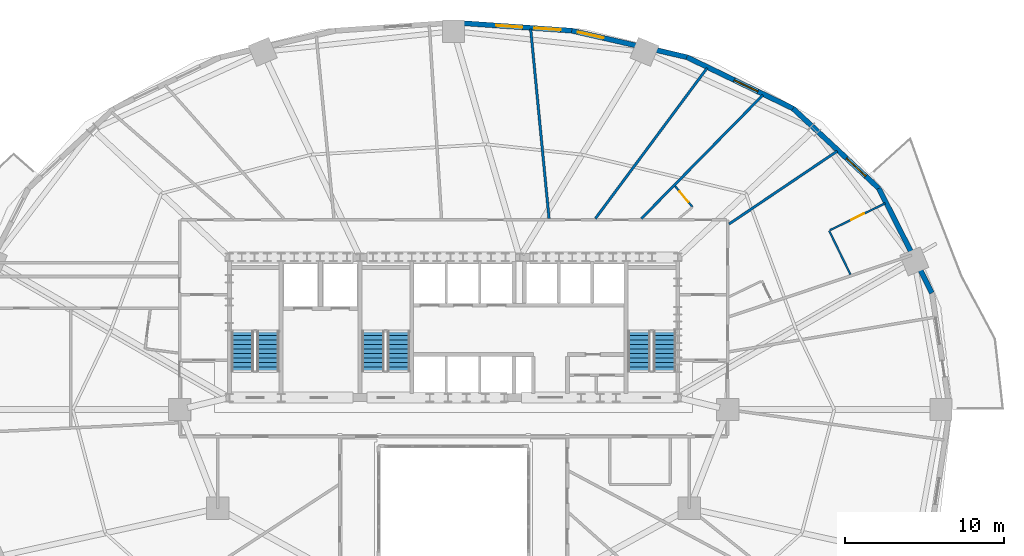
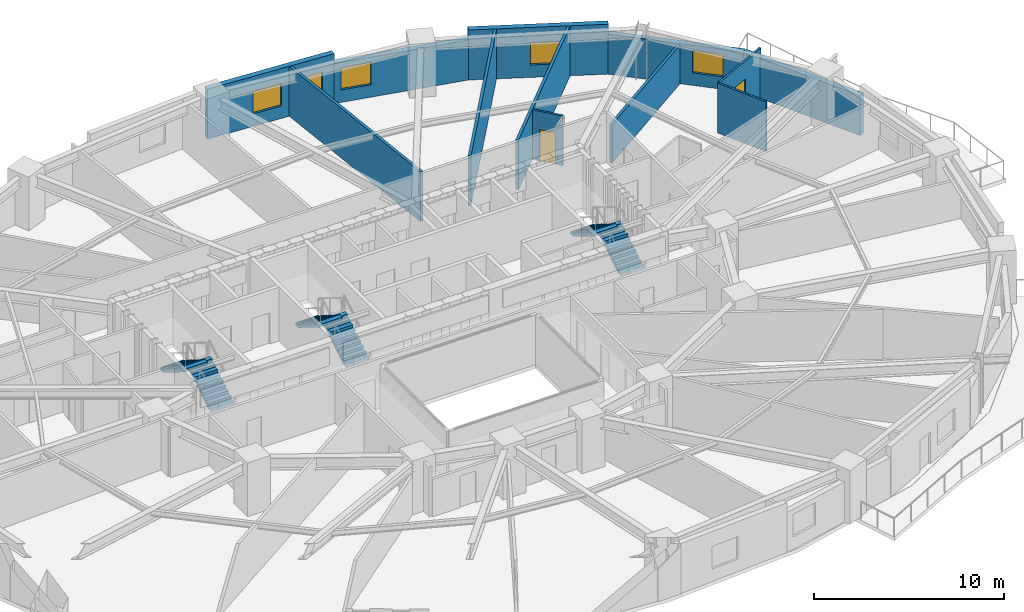
# One storey, part 13 of 17: 12 walls, 6 stair flights, 5 windows, 2 doors, 7 openings, 3 elements without a shape of their own.
"""IFC4 building model written with IfcOpenShell, lengths in metres."""

from ifc_helpers import new_model, si_unit, direction, frame, frame_2d, origin, place, context, subcontext, project, spatial, polyline, rectangle, outline, extrude, material, layer, layer_set, type_object, element, fill, aggregate, save


model = new_model("IFC4")

# Units and contexts
model_context = context("Model", 3, precision=1e-05, world=origin(), true_north=direction((0.0, 1.0)))
body_context = subcontext(model_context, "Body", "Model", "MODEL_VIEW")
ifc_project = project(units=[si_unit("LENGTHUNIT", "METRE"), si_unit("AREAUNIT", "SQUARE_METRE"), si_unit("VOLUMEUNIT", "CUBIC_METRE"), si_unit("PLANEANGLEUNIT", "RADIAN"), si_unit("MASSUNIT", "GRAM", prefix="KILO")], contexts=[model_context])

# Site, building, storey
site_placement = place(None, origin())
site = spatial("IfcSite", under=ifc_project, at=site_placement, CompositionType="ELEMENT")
building_placement = place(site_placement, origin())
building = spatial("IfcBuilding", under=site, at=building_placement, Name="Haldorwick Loom Tower", CompositionType="ELEMENT")
storey_placement = place(building_placement, frame((0.0, 0.0, 61.949951171875)))
storey = spatial("IfcBuildingStorey", under=building, at=storey_placement, Name="L16", CompositionType="ELEMENT", Elevation=61.949951171875)

# Wall
ifc_material_1 = material(Name="Pressed Clay Face Brick and Insulated Masonry Backup Assembly", Category="masonry")
ifc_layer_1 = layer(ifc_material_1, 0.320068359375, Name="Pressed Clay Face Brick and Insulated Masonry Backup Assembly", Category="masonry")
ifc_layer_set_1 = layer_set([ifc_layer_1], Name="Pressed Clay Face Brick and Insulated Masonry Backup Assembly")
wall_type_1 = type_object("IfcWallType", Name="ARC-WL-EXT320", PredefinedType="STANDARD", material=ifc_layer_set_1)
wall_1_placement = place(storey_placement, frame((66.021728515625, 33.320556640625, 0.0), z_axis=(0.0, 0.0, 1.0), x_axis=(-0.452950855928, 0.891535485617, 0.0)))
element("IfcWall", 1, at=wall_1_placement, inside=storey, type_object=wall_type_1, Name="L16 Brick Pier and Spandrel Wall 2", PredefinedType="STANDARD", context=body_context, shape_type="SweptSolid", body=[
    extrude(rectangle(XDim=7.3583984375, YDim=0.320068359375, at=frame_2d((3.67919921875, 0.0))), origin(), (0.0, 0.0, 1.0), 2.569091796875),
])

# Wall, opening, window
wall_2_placement = place(storey_placement, frame((62.688720703125, 39.880859375, 0.0), z_axis=(0.0, 0.0, 1.0), x_axis=(-0.73176101237, 0.681561311091, 0.0)))
wall_2 = element("IfcWall", 2, at=wall_2_placement, inside=storey, type_object=wall_type_1, Name="L16 Brick Pier and Spandrel Wall 3", PredefinedType="STANDARD", context=body_context, shape_type="SweptSolid", body=[
    extrude(rectangle(XDim=7.3583984375, YDim=0.320068359375, at=frame_2d((3.67919921875, 0.0))), origin(), (0.0, 0.0, 1.0), 2.569091796875),
])
opening_1_placement = place(wall_2_placement, frame((1.1181640625, 0.0, 0.800048828125)))
opening_1 = element("IfcOpeningElement", 3, at=opening_1_placement, cuts=wall_2, Name="Opening W-01B", PredefinedType="OPENING", context=body_context, shape_type="SweptSolid", body=[
    extrude(rectangle(XDim=1.64990234375, YDim=1.449951171875, at=frame_2d((0.824951171875, 0.72509765625))), frame((0.0, 0.169921875, 0.0), z_axis=(0.0, -1.0, 0.0), x_axis=(1.0, 0.0, 0.0)), (0.0, 0.0, 1.0), 0.340087890625),
])
ifc_material_2 = material(Name="Triple-Glazed Low-E Argon Insulated Glazing Unit", Category="glass")
window_type = type_object("IfcWindowType", Name="ARC-WIN-W165", PartitioningType="SINGLE_PANEL", PredefinedType="WINDOW", material=ifc_material_2)
window_1_placement = place(opening_1_placement, origin())
window_1 = element("IfcWindow", 4, at=window_1_placement, inside=storey, type_object=window_type, Name="L16 Deep-Set Zone 7A Window 3", OverallHeight=1.449951171875, OverallWidth=1.64990234375, PartitioningType="SINGLE_PANEL", PredefinedType="WINDOW", context=body_context, shape_type="SweptSolid", body=[
    extrude(rectangle(XDim=1.64990234375, YDim=1.449951171875, at=frame_2d((0.824951171875, 0.72509765625))), frame((0.0, 0.030029296875, 0.0), z_axis=(0.0, -1.0, 0.0), x_axis=(1.0, 0.0, 0.0)), (0.0, 0.0, 1.0), 0.06005859375),
])
fill(opening_1, window_1)

wall_3_placement = place(storey_placement, frame((57.30419921875, 44.89599609375, 0.0), z_axis=(0.0, 0.0, 1.0), x_axis=(-0.900295710431, 0.435278800057, 0.0)))
wall_3 = element("IfcWall", 5, at=wall_3_placement, inside=storey, type_object=wall_type_1, Name="L16 Brick Pier and Spandrel Wall 4", PredefinedType="STANDARD", context=body_context, shape_type="SweptSolid", body=[
    extrude(rectangle(XDim=7.39697265625, YDim=0.320068359375, at=frame_2d((3.698486328125, 0.0))), origin(), (0.0, 0.0, 1.0), 3.2099609375),
])
opening_2_placement = place(wall_3_placement, frame((2.451416015625, 0.0, 0.800048828125)))
opening_2 = element("IfcOpeningElement", 6, at=opening_2_placement, cuts=wall_3, Name="Opening W-01B", PredefinedType="OPENING", context=body_context, shape_type="SweptSolid", body=[
    extrude(rectangle(XDim=1.64990234375, YDim=1.449951171875, at=frame_2d((0.824951171875, 0.72509765625))), frame((0.0, 0.169921875, 0.0), z_axis=(0.0, -1.0, 0.0), x_axis=(1.0, 0.0, 0.0)), (0.0, 0.0, 1.0), 0.340087890625),
])
window_2_placement = place(opening_2_placement, origin())
window_2 = element("IfcWindow", 7, at=window_2_placement, inside=storey, type_object=window_type, Name="L16 Deep-Set Zone 7A Window 4", OverallHeight=1.449951171875, OverallWidth=1.64990234375, PartitioningType="SINGLE_PANEL", PredefinedType="WINDOW", context=body_context, shape_type="SweptSolid", body=[
    extrude(rectangle(XDim=1.64990234375, YDim=1.449951171875, at=frame_2d((0.824951171875, 0.72509765625))), frame((0.0, 0.030029296875, 0.0), z_axis=(0.0, -1.0, 0.0), x_axis=(1.0, 0.0, 0.0)), (0.0, 0.0, 1.0), 0.06005859375),
])
fill(opening_2, window_2)

wall_4_placement = place(storey_placement, frame((50.644775390625, 48.11572265625, 0.0), z_axis=(0.0, 0.0, 1.0), x_axis=(-0.974522412345, 0.224290142088, 0.0)))
wall_4 = element("IfcWall", 8, at=wall_4_placement, inside=storey, type_object=wall_type_1, Name="L16 Brick Pier and Spandrel Wall 5", PredefinedType="STANDARD", context=body_context, shape_type="SweptSolid", body=[
    extrude(rectangle(XDim=7.422607421875, YDim=0.320068359375, at=frame_2d((3.71142578125, 0.0))), origin(), (0.0, 0.0, 1.0), 2.569091796875),
])
opening_3_placement = place(wall_4_placement, frame((5.37255859375, 0.0, 0.800048828125)))
opening_3 = element("IfcOpeningElement", 9, at=opening_3_placement, cuts=wall_4, Name="Opening W-01B", PredefinedType="OPENING", context=body_context, shape_type="SweptSolid", body=[
    extrude(rectangle(XDim=1.64990234375, YDim=1.449951171875, at=frame_2d((0.824951171875, 0.72509765625))), frame((0.0, 0.169921875, 0.0), z_axis=(0.0, -1.0, 0.0), x_axis=(1.0, 0.0, 0.0)), (0.0, 0.0, 1.0), 0.340087890625),
])
window_3_placement = place(opening_3_placement, origin())
window_3 = element("IfcWindow", 10, at=window_3_placement, inside=storey, type_object=window_type, Name="L16 Deep-Set Zone 7A Window 5", OverallHeight=1.449951171875, OverallWidth=1.64990234375, PartitioningType="SINGLE_PANEL", PredefinedType="WINDOW", context=body_context, shape_type="SweptSolid", body=[
    extrude(rectangle(XDim=1.64990234375, YDim=1.449951171875, at=frame_2d((0.824951171875, 0.72509765625))), frame((0.0, 0.030029296875, 0.0), z_axis=(0.0, -1.0, 0.0), x_axis=(1.0, 0.0, 0.0)), (0.0, 0.0, 1.0), 0.06005859375),
])
fill(opening_3, window_3)

# Wall, openings, windows
wall_5_placement = place(storey_placement, frame((43.411376953125, 49.780517578125, 0.0), z_axis=(0.0, 0.0, 1.0), x_axis=(-0.997645161917, 0.068586667092, 0.0)))
wall_5 = element("IfcWall", 11, at=wall_5_placement, inside=storey, type_object=wall_type_1, Name="L16 Brick Pier and Spandrel Wall 6", PredefinedType="STANDARD", context=body_context, shape_type="SweptSolid", body=[
    extrude(rectangle(XDim=7.428955078125, YDim=0.320068359375, at=frame_2d((3.71435546875, 0.0))), origin(), (0.0, 0.0, 1.0), 3.2099609375),
])
opening_4_placement = place(wall_5_placement, frame((0.699951171875, 0.0, 0.800048828125)))
opening_4 = element("IfcOpeningElement", 12, at=opening_4_placement, cuts=wall_5, Name="Opening W-01B", PredefinedType="OPENING", context=body_context, shape_type="SweptSolid", body=[
    extrude(rectangle(XDim=1.64990234375, YDim=1.449951171875, at=frame_2d((0.824951171875, 0.72509765625))), frame((0.0, 0.169921875, 0.0), z_axis=(0.0, -1.0, 0.0), x_axis=(1.0, 0.0, 0.0)), (0.0, 0.0, 1.0), 0.340087890625),
])
opening_5_placement = place(wall_5_placement, frame((3.099365234375, 0.0, 0.800048828125)))
opening_5 = element("IfcOpeningElement", 13, at=opening_5_placement, cuts=wall_5, Name="Opening W-01B", PredefinedType="OPENING", context=body_context, shape_type="SweptSolid", body=[
    extrude(rectangle(XDim=1.64990234375, YDim=1.449951171875, at=frame_2d((0.824951171875, 0.72509765625))), frame((0.0, 0.169921875, 0.0), z_axis=(0.0, -1.0, 0.0), x_axis=(1.0, 0.0, 0.0)), (0.0, 0.0, 1.0), 0.340087890625),
])
window_4_placement = place(opening_4_placement, origin())
window_4 = element("IfcWindow", 14, at=window_4_placement, inside=storey, type_object=window_type, Name="L16 Deep-Set Zone 7A Window 6", OverallHeight=1.449951171875, OverallWidth=1.64990234375, PartitioningType="SINGLE_PANEL", PredefinedType="WINDOW", context=body_context, shape_type="SweptSolid", body=[
    extrude(rectangle(XDim=1.64990234375, YDim=1.449951171875, at=frame_2d((0.824951171875, 0.72509765625))), frame((0.0, 0.030029296875, 0.0), z_axis=(0.0, -1.0, 0.0), x_axis=(1.0, 0.0, 0.0)), (0.0, 0.0, 1.0), 0.06005859375),
])
fill(opening_4, window_4)
window_5_placement = place(opening_5_placement, origin())
window_5 = element("IfcWindow", 15, at=window_5_placement, inside=storey, type_object=window_type, Name="L16 Deep-Set Zone 7A Window 6", OverallHeight=1.449951171875, OverallWidth=1.64990234375, PartitioningType="SINGLE_PANEL", PredefinedType="WINDOW", context=body_context, shape_type="SweptSolid", body=[
    extrude(rectangle(XDim=1.64990234375, YDim=1.449951171875, at=frame_2d((0.824951171875, 0.72509765625))), frame((0.0, 0.030029296875, 0.0), z_axis=(0.0, -1.0, 0.0), x_axis=(1.0, 0.0, 0.0)), (0.0, 0.0, 1.0), 0.06005859375),
])
fill(opening_5, window_5)

# Walls
ifc_material_3 = material(Name="Fire-Rated Type X Gypsum Stud Assembly EI 60")
ifc_layer_2 = layer(ifc_material_3, 0.159912109375, Name="Fire-Rated Type X Gypsum Stud Assembly EI 60")
ifc_layer_set_2 = layer_set([ifc_layer_2], Name="Fire-Rated Type X Gypsum Stud Assembly EI 60")
wall_type_2 = type_object("IfcWallType", Name="ARC-WL-FIRE160", PredefinedType="PARTITIONING", material=ifc_layer_set_2)
wall_6_placement = place(storey_placement, frame((41.991943359375, 37.98291015625, 0.0), z_axis=(0.0, 0.0, 1.0), x_axis=(-0.096491128735, 0.995333844534, 0.0)))
element("IfcWall", 16, at=wall_6_placement, inside=storey, type_object=wall_type_2, Name="L16 Residential Fire Partition L16-UPN-12", PredefinedType="PARTITIONING", context=body_context, shape_type="SweptSolid", body=[
    extrude(rectangle(XDim=11.96533203125, YDim=0.159912109375, at=frame_2d((5.982666015625, 0.0))), origin(), (0.0, 0.0, 1.0), 3.195068359375),
])
wall_7_placement = place(storey_placement, frame((53.282958984375, 37.642333984375, 0.0), z_axis=(0.0, 0.0, 1.0), x_axis=(0.829396648127, 0.558660183006, 0.0)))
element("IfcWall", 17, at=wall_7_placement, inside=storey, type_object=wall_type_2, Name="L16 Suite Split Wall", PredefinedType="PARTITIONING", context=body_context, shape_type="SweptSolid", body=[
    extrude(rectangle(XDim=8.196044921875, YDim=0.159912109375, at=frame_2d((4.09814453125, 0.0))), origin(), (0.0, 0.0, 1.0), 2.489990234375),
])
wall_8_placement = place(storey_placement, frame((47.786376953125, 37.98291015625, 0.0), z_axis=(0.0, 0.0, 1.0), x_axis=(0.701235796896, 0.712929419474, 0.0)))
element("IfcWall", 18, at=wall_8_placement, inside=storey, type_object=wall_type_2, Name="L16 Suite Split Wall", PredefinedType="PARTITIONING", context=body_context, shape_type="SweptSolid", body=[
    extrude(rectangle(XDim=10.87744140625, YDim=0.159912109375, at=frame_2d((5.438720703125, 0.0))), origin(), (0.0, 0.0, 1.0), 3.195068359375),
])
wall_9_placement = place(storey_placement, frame((44.89599609375, 37.98291015625, 0.0), z_axis=(0.0, 0.0, 1.0), x_axis=(0.596079125279, 0.802925697937, 0.0)))
element("IfcWall", 19, at=wall_9_placement, inside=storey, type_object=wall_type_2, Name="L16 Suite Split Wall", PredefinedType="PARTITIONING", context=body_context, shape_type="SweptSolid", body=[
    extrude(rectangle(XDim=11.767578125, YDim=0.159912109375, at=frame_2d((5.8837890625, 0.0))), origin(), (0.0, 0.0, 1.0), 3.195068359375),
])
ifc_material_4 = material(Name="Acoustic Gypsum Stud Assembly STC 55")
ifc_layer_3 = layer(ifc_material_4, 0.1201171875, Name="Acoustic Gypsum Stud Assembly STC 55")
ifc_layer_set_3 = layer_set([ifc_layer_3], Name="Acoustic Gypsum Stud Assembly STC 55")
wall_type_3 = type_object("IfcWallType", Name="ARC-WL-PART120", PredefinedType="PARTITIONING", material=ifc_layer_set_3)
wall_10_placement = place(storey_placement, frame((60.906982421875, 34.477294921875, 0.0), z_axis=(0.0, 0.0, 1.0), x_axis=(-0.437012689497, 0.899455340313, 0.0)))
element("IfcWall", 20, at=wall_10_placement, inside=storey, type_object=wall_type_3, Name="L16 Unit 16G Interior Partition", PredefinedType="PARTITIONING", context=body_context, shape_type="SweptSolid", body=[
    extrude(rectangle(XDim=3.0625, YDim=0.1201171875, at=frame_2d((1.53125, 0.0))), origin(), (0.0, 0.0, 1.0), 3.195068359375),
])

# Wall, opening, door
wall_11_placement = place(storey_placement, frame((59.62548828125, 37.259521484375, 0.0), z_axis=(0.0, 0.0, 1.0), x_axis=(0.899474724732, 0.436972790422, 0.0)))
wall_11 = element("IfcWall", 21, at=wall_11_placement, inside=storey, type_object=wall_type_3, Name="L16 Unit 16G Interior Partition", PredefinedType="PARTITIONING", context=body_context, shape_type="SweptSolid", body=[
    extrude(rectangle(XDim=3.85400390625, YDim=0.1201171875, at=frame_2d((1.927001953125, 0.0))), origin(), (0.0, 0.0, 1.0), 3.195068359375),
])
opening_6_placement = place(wall_11_placement, frame((1.47705078125, 0.0, 0.0)))
opening_6 = element("IfcOpeningElement", 22, at=opening_6_placement, cuts=wall_11, Name="Opening D-IN90", PredefinedType="OPENING", context=body_context, shape_type="SweptSolid", body=[
    extrude(rectangle(XDim=0.89990234375, YDim=2.0400390625, at=frame_2d((0.449951171875, 1.02001953125))), frame((0.0, 0.070068359375, 0.0), z_axis=(0.0, -1.0, 0.0), x_axis=(1.0, 0.0, 0.0)), (0.0, 0.0, 1.0), 0.14013671875),
])
ifc_material_5 = material(Name="Solid Core Birch Architectural Door")
door_type_1 = type_object("IfcDoorType", Name="ARC-DR-INT90", OperationType="NOTDEFINED", PredefinedType="DOOR", material=ifc_material_5)
door_1_placement = place(opening_6_placement, origin())
door_1 = element("IfcDoor", 23, at=door_1_placement, inside=storey, type_object=door_type_1, Name="L16 Unit 16G Kitchen and Living Room to Unit 16G Bedroom 1 Door", OperationType="SINGLE_SWING_RIGHT", OverallHeight=2.0400390625, OverallWidth=0.89990234375, PredefinedType="DOOR", context=body_context, shape_type="SweptSolid", body=[
    extrude(rectangle(XDim=0.89990234375, YDim=2.0400390625, at=frame_2d((0.449951171875, 1.02001953125))), frame((0.0, 0.02490234375, 0.0), z_axis=(0.0, -1.0, 0.0), x_axis=(1.0, 0.0, 0.0)), (0.0, 0.0, 1.0), 0.050048828125),
])
fill(opening_6, door_1)

wall_12_placement = place(storey_placement, frame((50.998779296875, 38.706787109375, 0.0), z_axis=(0.0, 0.0, 1.0), x_axis=(-0.640240637725, 0.768174411059, 0.0)))
wall_12 = element("IfcWall", 24, at=wall_12_placement, inside=storey, type_object=wall_type_3, Name="L16 Unit 16H Interior Partition", PredefinedType="PARTITIONING", context=body_context, shape_type="SweptSolid", body=[
    extrude(rectangle(XDim=1.7080078125, YDim=0.1201171875, at=frame_2d((0.85400390625, 0.0))), origin(), (0.0, 0.0, 1.0), 3.195068359375),
])
opening_7_placement = place(wall_12_placement, frame((0.4140625, 0.0, 0.0)))
opening_7 = element("IfcOpeningElement", 25, at=opening_7_placement, cuts=wall_12, Name="Opening D-BT88", PredefinedType="OPENING", context=body_context, shape_type="SweptSolid", body=[
    extrude(rectangle(XDim=0.8798828125, YDim=2.02001953125, at=frame_2d((0.43994140625, 1.010009765625))), frame((0.0, 0.070068359375, 0.0), z_axis=(0.0, -1.0, 0.0), x_axis=(1.0, 0.0, 0.0)), (0.0, 0.0, 1.0), 0.14013671875),
])
door_type_2 = type_object("IfcDoorType", Name="ARC-DR-BATH88", OperationType="NOTDEFINED", PredefinedType="DOOR", material=ifc_material_5)
door_2_placement = place(opening_7_placement, origin())
door_2 = element("IfcDoor", 26, at=door_2_placement, inside=storey, type_object=door_type_2, Name="L16 Unit 16H Bathroom to Unit 16H Kitchen and Studio Living Room Door", OperationType="SINGLE_SWING_LEFT", OverallHeight=2.02001953125, OverallWidth=0.8798828125, PredefinedType="DOOR", context=body_context, shape_type="SweptSolid", body=[
    extrude(rectangle(XDim=0.8798828125, YDim=2.02001953125, at=frame_2d((0.43994140625, 1.010009765625))), frame((0.0, 0.02490234375, 0.0), z_axis=(0.0, -1.0, 0.0), x_axis=(1.0, 0.0, 0.0)), (0.0, 0.0, 1.0), 0.050048828125),
])
fill(opening_7, door_2)

# Stair, stair flights
ifc_material_6 = material(Name="Concrete C40 (40 MPa)", Category="concrete")
stair_type = type_object("IfcStairType", Name="STR-STR-CORE", PredefinedType="HALF_TURN_STAIR", material=ifc_material_6)
stair_1_placement = place(storey_placement, origin())
stair_1 = element("IfcStair", 27, at=stair_1_placement, inside=storey, type_object=stair_type, Name="L16 Exit Stair ST-01", PredefinedType="HALF_TURN_STAIR")
stair_flight_type = type_object("IfcStairFlightType", Name="STR-STF-1250", PredefinedType="STRAIGHT", material=ifc_material_6)
stair_flight_1_placement = place(storey_placement, frame((24.35009765625, 28.39990234375, 0.0), z_axis=(0.0, 0.0, 1.0), x_axis=(0.0, 1.0, 0.0)))
stair_flight_1 = element("IfcStairFlight", 28, at=stair_flight_1_placement, type_object=stair_flight_type, Name="ST-01 flight 1", NumberOfRisers=10, NumberOfTreads=9, PredefinedType="STRAIGHT", RiserHeight=0.1725, TreadLength=0.28, context=body_context, shape_type="SweptSolid", body=[
    extrude(outline(polyline([(0.0, 0.0), (0.0, 0.172607421875), (0.280029296875, 0.172607421875), (0.280029296875, 0.344970703125), (0.56005859375, 0.344970703125), (0.56005859375, 0.517578125), (0.840087890625, 0.517578125), (0.840087890625, 0.68994140625), (1.1201171875, 0.68994140625), (1.1201171875, 0.862548828125), (1.39990234375, 0.862548828125), (1.39990234375, 1.034912109375), (1.679931640625, 1.034912109375), (1.679931640625, 1.20751953125), (1.9599609375, 1.20751953125), (1.9599609375, 1.3798828125), (2.239990234375, 1.3798828125), (2.239990234375, 1.552490234375), (2.52001953125, 1.552490234375), (2.52001953125, 1.72509765625), (2.52001953125, 1.37646484375), (0.285888671875, 0.0), (0.0, 0.0)])), frame((0.0, 0.699951171875, 0.0), z_axis=(0.0, -1.0, 0.0), x_axis=(1.0, 0.0, 0.0)), (0.0, 0.0, 1.0), 1.39990234375),
])
stair_flight_2_placement = place(storey_placement, frame((22.75, 30.919921875, 1.72509765625), z_axis=(0.0, 0.0, 1.0), x_axis=(0.0, -1.0, 0.0)))
stair_flight_2 = element("IfcStairFlight", 29, at=stair_flight_2_placement, type_object=stair_flight_type, Name="ST-01 flight 2", NumberOfRisers=10, NumberOfTreads=9, PredefinedType="STRAIGHT", RiserHeight=0.1725, TreadLength=0.28, context=body_context, shape_type="SweptSolid", body=[
    extrude(outline(polyline([(0.0, 0.0), (0.0, 0.172607421875), (0.280029296875, 0.172607421875), (0.280029296875, 0.344970703125), (0.56005859375, 0.344970703125), (0.56005859375, 0.517578125), (0.840087890625, 0.517578125), (0.840087890625, 0.68994140625), (1.1201171875, 0.68994140625), (1.1201171875, 0.862548828125), (1.39990234375, 0.862548828125), (1.39990234375, 1.034912109375), (1.679931640625, 1.034912109375), (1.679931640625, 1.20751953125), (1.9599609375, 1.20751953125), (1.9599609375, 1.3798828125), (2.239990234375, 1.3798828125), (2.239990234375, 1.552490234375), (2.52001953125, 1.552490234375), (2.52001953125, 1.72509765625), (2.52001953125, 1.37646484375), (0.285888671875, 0.0), (0.0, 0.0)])), frame((0.0, 0.699951171875, 0.0), z_axis=(0.0, -1.0, 0.0), x_axis=(1.0, 0.0, 0.0)), (0.0, 0.0, 1.0), 1.39990234375),
])
aggregate(stair_1, [stair_flight_1, stair_flight_2])

stair_2_placement = place(storey_placement, origin())
stair_2 = element("IfcStair", 30, at=stair_2_placement, inside=storey, type_object=stair_type, Name="L16 Exit Stair ST-02", PredefinedType="HALF_TURN_STAIR")
stair_flight_3_placement = place(storey_placement, frame((49.25, 28.39990234375, 0.0), z_axis=(0.0, 0.0, 1.0), x_axis=(0.0, 1.0, 0.0)))
stair_flight_3 = element("IfcStairFlight", 31, at=stair_flight_3_placement, type_object=stair_flight_type, Name="ST-02 flight 1", NumberOfRisers=10, NumberOfTreads=9, PredefinedType="STRAIGHT", RiserHeight=0.1725, TreadLength=0.28, context=body_context, shape_type="SweptSolid", body=[
    extrude(outline(polyline([(0.0, 0.0), (0.0, 0.172607421875), (0.280029296875, 0.172607421875), (0.280029296875, 0.344970703125), (0.56005859375, 0.344970703125), (0.56005859375, 0.517578125), (0.840087890625, 0.517578125), (0.840087890625, 0.68994140625), (1.1201171875, 0.68994140625), (1.1201171875, 0.862548828125), (1.39990234375, 0.862548828125), (1.39990234375, 1.034912109375), (1.679931640625, 1.034912109375), (1.679931640625, 1.20751953125), (1.9599609375, 1.20751953125), (1.9599609375, 1.3798828125), (2.239990234375, 1.3798828125), (2.239990234375, 1.552490234375), (2.52001953125, 1.552490234375), (2.52001953125, 1.72509765625), (2.52001953125, 1.37646484375), (0.285888671875, 0.0), (0.0, 0.0)])), frame((0.0, 0.699951171875, 0.0), z_axis=(0.0, -1.0, 0.0), x_axis=(1.0, 0.0, 0.0)), (0.0, 0.0, 1.0), 1.39990234375),
])
stair_flight_4_placement = place(storey_placement, frame((47.64990234375, 30.919921875, 1.72509765625), z_axis=(0.0, 0.0, 1.0), x_axis=(0.0, -1.0, 0.0)))
stair_flight_4 = element("IfcStairFlight", 32, at=stair_flight_4_placement, type_object=stair_flight_type, Name="ST-02 flight 2", NumberOfRisers=10, NumberOfTreads=9, PredefinedType="STRAIGHT", RiserHeight=0.1725, TreadLength=0.28, context=body_context, shape_type="SweptSolid", body=[
    extrude(outline(polyline([(0.0, 0.0), (0.0, 0.172607421875), (0.280029296875, 0.172607421875), (0.280029296875, 0.344970703125), (0.56005859375, 0.344970703125), (0.56005859375, 0.517578125), (0.840087890625, 0.517578125), (0.840087890625, 0.68994140625), (1.1201171875, 0.68994140625), (1.1201171875, 0.862548828125), (1.39990234375, 0.862548828125), (1.39990234375, 1.034912109375), (1.679931640625, 1.034912109375), (1.679931640625, 1.20751953125), (1.9599609375, 1.20751953125), (1.9599609375, 1.3798828125), (2.239990234375, 1.3798828125), (2.239990234375, 1.552490234375), (2.52001953125, 1.552490234375), (2.52001953125, 1.72509765625), (2.52001953125, 1.37646484375), (0.285888671875, 0.0), (0.0, 0.0)])), frame((0.0, 0.699951171875, 0.0), z_axis=(0.0, -1.0, 0.0), x_axis=(1.0, 0.0, 0.0)), (0.0, 0.0, 1.0), 1.39990234375),
])
aggregate(stair_2, [stair_flight_3, stair_flight_4])

stair_3_placement = place(storey_placement, origin())
stair_3 = element("IfcStair", 33, at=stair_3_placement, inside=storey, type_object=stair_type, Name="L16 Exit Stair ST-03", PredefinedType="HALF_TURN_STAIR")
stair_flight_5_placement = place(storey_placement, frame((32.550048828125, 28.39990234375, 0.0), z_axis=(0.0, 0.0, 1.0), x_axis=(0.0, 1.0, 0.0)))
stair_flight_5 = element("IfcStairFlight", 34, at=stair_flight_5_placement, type_object=stair_flight_type, Name="ST-03 flight 1", NumberOfRisers=10, NumberOfTreads=9, PredefinedType="STRAIGHT", RiserHeight=0.1725, TreadLength=0.28, context=body_context, shape_type="SweptSolid", body=[
    extrude(outline(polyline([(0.0, 0.0), (0.0, 0.172607421875), (0.280029296875, 0.172607421875), (0.280029296875, 0.344970703125), (0.56005859375, 0.344970703125), (0.56005859375, 0.517578125), (0.840087890625, 0.517578125), (0.840087890625, 0.68994140625), (1.1201171875, 0.68994140625), (1.1201171875, 0.862548828125), (1.39990234375, 0.862548828125), (1.39990234375, 1.034912109375), (1.679931640625, 1.034912109375), (1.679931640625, 1.20751953125), (1.9599609375, 1.20751953125), (1.9599609375, 1.3798828125), (2.239990234375, 1.3798828125), (2.239990234375, 1.552490234375), (2.52001953125, 1.552490234375), (2.52001953125, 1.72509765625), (2.52001953125, 1.37646484375), (0.285888671875, 0.0), (0.0, 0.0)])), frame((0.0, 0.699951171875, 0.0), z_axis=(0.0, -1.0, 0.0), x_axis=(1.0, 0.0, 0.0)), (0.0, 0.0, 1.0), 1.39990234375),
])
stair_flight_6_placement = place(storey_placement, frame((30.949951171875, 30.919921875, 1.72509765625), z_axis=(0.0, 0.0, 1.0), x_axis=(0.0, -1.0, 0.0)))
stair_flight_6 = element("IfcStairFlight", 35, at=stair_flight_6_placement, type_object=stair_flight_type, Name="ST-03 flight 2", NumberOfRisers=10, NumberOfTreads=9, PredefinedType="STRAIGHT", RiserHeight=0.1725, TreadLength=0.28, context=body_context, shape_type="SweptSolid", body=[
    extrude(outline(polyline([(0.0, 0.0), (0.0, 0.172607421875), (0.280029296875, 0.172607421875), (0.280029296875, 0.344970703125), (0.56005859375, 0.344970703125), (0.56005859375, 0.517578125), (0.840087890625, 0.517578125), (0.840087890625, 0.68994140625), (1.1201171875, 0.68994140625), (1.1201171875, 0.862548828125), (1.39990234375, 0.862548828125), (1.39990234375, 1.034912109375), (1.679931640625, 1.034912109375), (1.679931640625, 1.20751953125), (1.9599609375, 1.20751953125), (1.9599609375, 1.3798828125), (2.239990234375, 1.3798828125), (2.239990234375, 1.552490234375), (2.52001953125, 1.552490234375), (2.52001953125, 1.72509765625), (2.52001953125, 1.37646484375), (0.285888671875, 0.0), (0.0, 0.0)])), frame((0.0, 0.699951171875, 0.0), z_axis=(0.0, -1.0, 0.0), x_axis=(1.0, 0.0, 0.0)), (0.0, 0.0, 1.0), 1.39990234375),
])
aggregate(stair_3, [stair_flight_5, stair_flight_6])

save(model, "model.ifc")
